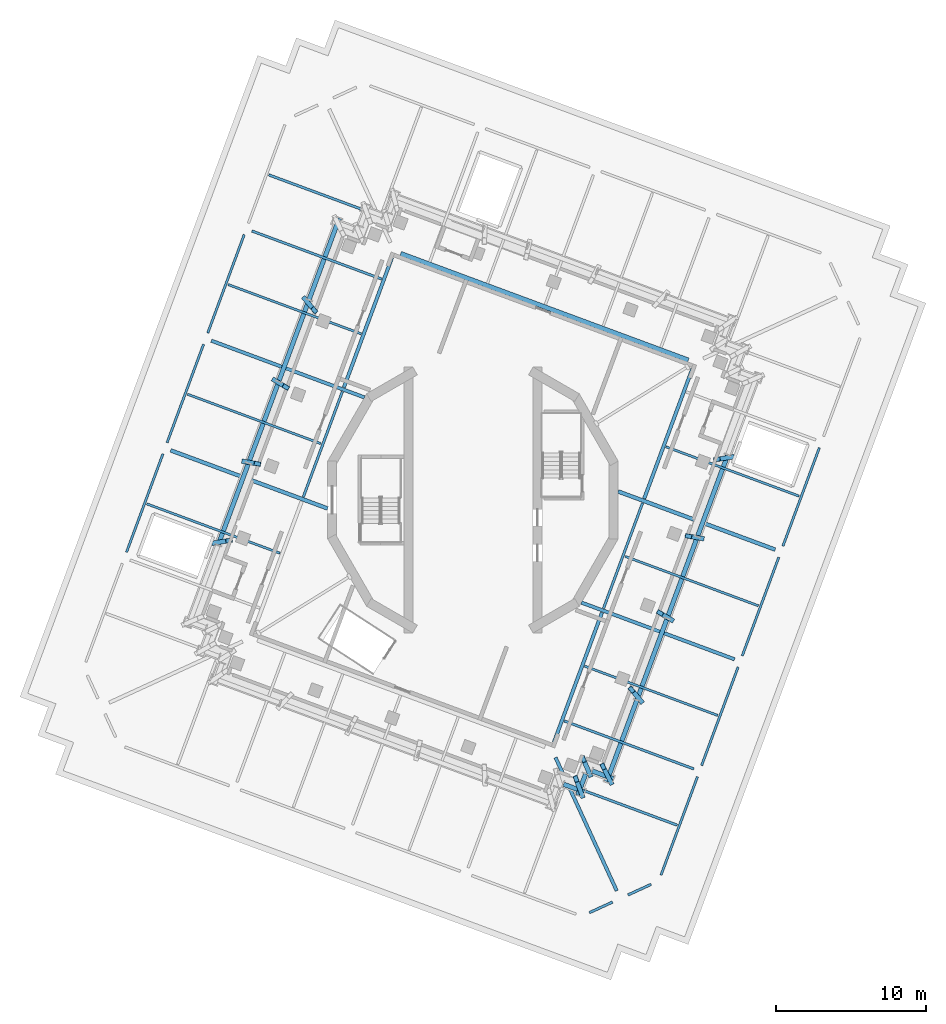
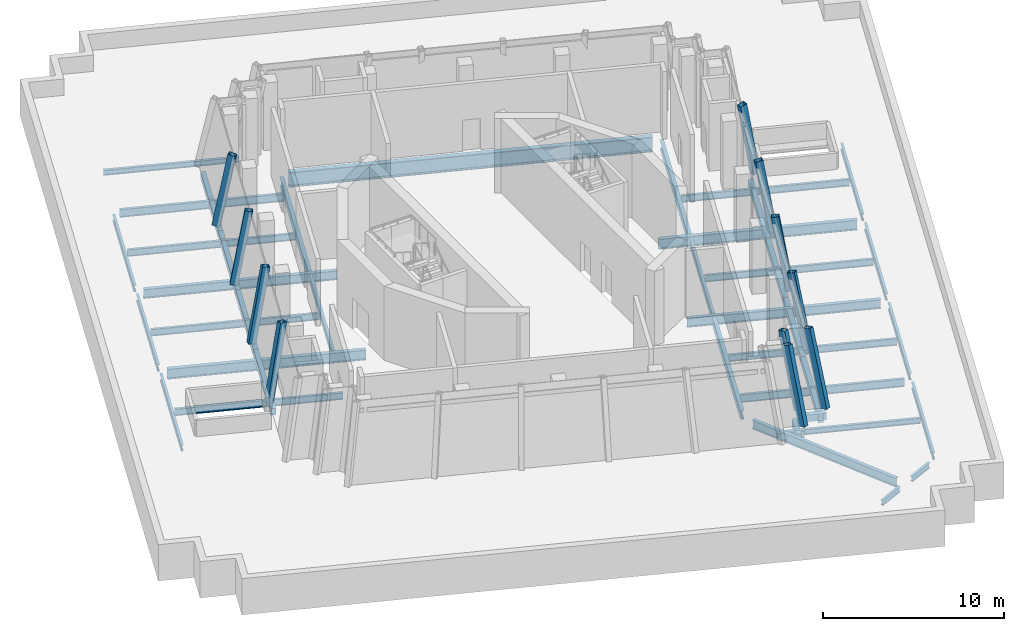
# One storey, part 2 of 12: 30 beams, 22 members, 13 elements without a shape of their own.
"""IFC4 building model written with IfcOpenShell, lengths in metres."""

import ifcopenshell
import ifcopenshell.guid

model = None  # the IFC model being written
_history = None  # IfcOwnerHistory: only IFC2X3 demands one
_inside = {}  # id of a spatial element -> (the spatial element, [elements in it])
_under = {}  # id of a project, library or spatial element -> (it, [spatial elements below it])
_declared = {}  # id of a project -> (the project, [libraries it declares])
_typed = {}  # id of a type object -> (the type object, [elements of that type])
_made_of = {}  # id of a material, layer set ... -> (it, [elements and type objects made of it])


def new_model(schema):
    """Start an empty IFC model of exactly this schema.

    Asked for "IFC4X3", IfcOpenShell would pick the latest addendum, in which some entities
    have other attributes; the version numbers below select the first issue.
    IFC2X3 requires an IfcOwnerHistory on every rooted entity: one is made here for all.
    """
    global model, _history
    if schema == "IFC4X3":
        model = ifcopenshell.file(schema_version=(4, 3, 0, 0))
    else:
        model = ifcopenshell.file(schema=schema)
    _inside.clear()
    _under.clear()
    _declared.clear()
    _typed.clear()
    _made_of.clear()
    _history = None
    if model.schema == "IFC2X3":
        org = make("IfcOrganization", Name="unknown")
        user = make(
            "IfcPersonAndOrganization",
            ThePerson=make("IfcPerson", FamilyName="unknown"),
            TheOrganization=org,
        )
        app = make(
            "IfcApplication",
            ApplicationDeveloper=org,
            Version="unknown",
            ApplicationFullName="unknown",
            ApplicationIdentifier="unknown",
        )
        _history = make(
            "IfcOwnerHistory",
            OwningUser=user,
            OwningApplication=app,
            ChangeAction="ADDED",
            CreationDate=0,
        )
    return model


def make(cls, **values):
    """One entity of the class cls with the attributes given. An attribute that is None is left unset."""
    return model.create_entity(
        cls, **{name: value for name, value in values.items() if value is not None}
    )


def rooted(cls, **values):
    """An entity with a GlobalId (a new one), such as an element, a storey or a relation."""
    return make(cls, GlobalId=ifcopenshell.guid.new(), OwnerHistory=_history, **values)


def si_unit(unit_type, name, prefix=None):
    """IfcSIUnit, for example si_unit("LENGTHUNIT", "METRE", prefix="MILLI")."""
    return make("IfcSIUnit", UnitType=unit_type, Prefix=prefix, Name=name)


def assignment(units):
    """IfcUnitAssignment: the units of a project."""
    return None if units is None else make("IfcUnitAssignment", Units=units)


def point(xyz):
    """IfcCartesianPoint."""
    return None if xyz is None else make("IfcCartesianPoint", Coordinates=xyz)


def direction(xyz):
    """IfcDirection."""
    return None if xyz is None else make("IfcDirection", DirectionRatios=xyz)


def frame(location, z_axis=None, x_axis=None):
    """IfcAxis2Placement3D, a coordinate frame: its origin and axes. An axis left out is left unset."""
    return make(
        "IfcAxis2Placement3D",
        Location=point(location),
        Axis=direction(z_axis),
        RefDirection=direction(x_axis),
    )


def frame_2d(location, x_axis=None):
    """IfcAxis2Placement2D, a coordinate frame in the plane: its origin and x axis."""
    return make(
        "IfcAxis2Placement2D", Location=point(location), RefDirection=direction(x_axis)
    )


def origin():
    """The frame at (0, 0, 0) with its axes left unset."""
    return frame((0.0, 0.0, 0.0))


def origin_2d():
    """The frame at (0, 0) in the plane with its x axis left unset."""
    return frame_2d((0.0, 0.0))


def place(relative_to, where):
    """IfcLocalPlacement: puts the frame where relative to a parent placement (None: the world)."""
    return make(
        "IfcLocalPlacement", PlacementRelTo=relative_to, RelativePlacement=where
    )


def context(
    kind, dimensions, precision=None, world=None, true_north=None, identifier=None
):
    """IfcGeometricRepresentationContext, for example the 3D "Model" context."""
    return make(
        "IfcGeometricRepresentationContext",
        ContextIdentifier=identifier,
        ContextType=kind,
        CoordinateSpaceDimension=dimensions,
        Precision=precision,
        WorldCoordinateSystem=world,
        TrueNorth=true_north,
    )


def subcontext(parent, identifier, kind, view, scale=None):
    """IfcGeometricRepresentationSubContext, for example "Body" below "Model"."""
    return make(
        "IfcGeometricRepresentationSubContext",
        ContextIdentifier=identifier,
        ContextType=kind,
        ParentContext=parent,
        TargetScale=scale,
        TargetView=view,
    )


def project(units=None, contexts=None):
    """IfcProject with its units and contexts."""
    return rooted(
        "IfcProject",
        Name="project",
        RepresentationContexts=contexts,
        UnitsInContext=assignment(units),
    )


def spatial(cls, under=None, at=None, **own):
    """A site, building, storey or space (cls), placed at a placement, below another one or the project."""
    s = rooted(cls, ObjectPlacement=at, **own)
    if under is not None:
        _under.setdefault(under.id(), (under, []))[1].append(s)
    return s


def profile(cls, at=None, kind="AREA", **sizes):
    """A parametric profile (cls). Its sizes go by their IFC names, for example OverallWidth=200.0."""
    return make(cls, ProfileType=kind, Position=at, **sizes)


def hollow_rectangle(**sizes):
    """IfcRectangleHollowProfileDef."""
    return profile("IfcRectangleHollowProfileDef", **sizes)


def i_section(**sizes):
    """IfcIShapeProfileDef."""
    return profile("IfcIShapeProfileDef", **sizes)


def extrude(swept, where, along, depth):
    """IfcExtrudedAreaSolid: the profile swept, set in the frame where, extruded along a direction by depth."""
    return make(
        "IfcExtrudedAreaSolid",
        SweptArea=swept,
        Position=where,
        ExtrudedDirection=direction(along),
        Depth=depth,
    )


def shape(context_of_items, identifier, shape_type, items):
    """IfcShapeRepresentation: the items that make up one representation, for example the "Body"."""
    return make(
        "IfcShapeRepresentation",
        ContextOfItems=context_of_items,
        RepresentationIdentifier=identifier,
        RepresentationType=shape_type,
        Items=items,
    )


def material(Name=None, Category=None):
    """IfcMaterial."""
    return make("IfcMaterial", Name=Name, Category=Category)


def material_profile(
    of_material, cross_section, Name=None, Category=None, Priority=None
):
    """IfcMaterialProfile: a cross section and its material."""
    return make(
        "IfcMaterialProfile",
        Name=Name,
        Material=of_material,
        Profile=cross_section,
        Priority=Priority,
        Category=Category,
    )


def profile_set(profiles, Name=None, composite=None):
    """IfcMaterialProfileSet."""
    return make(
        "IfcMaterialProfileSet",
        Name=Name,
        MaterialProfiles=profiles,
        CompositeProfile=composite,
    )


def made_of(thing, what):
    """Note that an element or type object is made of a material, layer set ...; save() writes the relation."""
    if what is not None:
        _made_of.setdefault(what.id(), (what, []))[1].append(thing)
    return thing


def type_object(cls, material=None, **own):
    """A type object (cls), such as IfcWallType, which elements share."""
    return made_of(rooted(cls, **own), material)


def element(
    cls,
    number,
    at=None,
    inside=None,
    cuts=None,
    type_object=None,
    material=None,
    context=None,
    identifier="Body",
    shape_type=None,
    held_by="IfcProductDefinitionShape",
    body=None,
    shapes=None,
    **own,
):
    """One element of the class cls, such as IfcWall. Its Tag is "e" and its number.

    at: its placement. inside: the storey or other place that contains it. cuts: it is an
    opening in that element (IfcRelVoidsElement). A single representation is given by context,
    identifier, shape_type and body (its items); several are given by shapes. held_by: the class
    of the entity that holds the representations. save() writes the other relations.
    """
    e = rooted(cls, Tag="e%d" % number, ObjectPlacement=at, **own)
    if body is not None:
        shapes = [shape(context, identifier, shape_type, body)]
    if shapes is not None:
        e.Representation = make(held_by, Representations=shapes)
    if inside is not None:
        _inside.setdefault(inside.id(), (inside, []))[1].append(e)
    if cuts is not None:
        rooted(
            "IfcRelVoidsElement", RelatingBuildingElement=cuts, RelatedOpeningElement=e
        )
    if type_object is not None:
        _typed.setdefault(type_object.id(), (type_object, []))[1].append(e)
    return made_of(e, material)


def aggregate(whole, parts):
    """IfcRelAggregates: a whole, such as a stair, and the parts it consists of."""
    return rooted("IfcRelAggregates", RelatingObject=whole, RelatedObjects=parts)


def save(model, path):
    """Write the relations noted so far, then the file.

    IfcRelAggregates (storeys below a building ...), IfcRelContainedInSpatialStructure (elements
    in a storey), IfcRelDefinesByType, IfcRelAssociatesMaterial and IfcRelDeclares: one each for
    every whole, place, type object, material and project.
    """
    for whole, parts in _under.values():
        aggregate(whole, parts)
    for where, things in _inside.values():
        rooted(
            "IfcRelContainedInSpatialStructure",
            RelatedElements=things,
            RelatingStructure=where,
        )
    for kind, things in _typed.values():
        rooted("IfcRelDefinesByType", RelatedObjects=things, RelatingType=kind)
    for what, things in _made_of.values():
        rooted("IfcRelAssociatesMaterial", RelatedObjects=things, RelatingMaterial=what)
    for by, libraries in _declared.values():
        rooted("IfcRelDeclares", RelatingContext=by, RelatedDefinitions=libraries)
    model.write(path)


model = new_model("IFC4")

# Units and contexts
model_context = context("Model", 3, precision=1e-05, world=origin(), true_north=direction((0.0, 1.0)))
body_context = subcontext(model_context, "Body", "Model", "MODEL_VIEW")
ifc_project = project(units=[si_unit("LENGTHUNIT", "METRE"), si_unit("AREAUNIT", "SQUARE_METRE"), si_unit("VOLUMEUNIT", "CUBIC_METRE"), si_unit("PLANEANGLEUNIT", "RADIAN"), si_unit("MASSUNIT", "GRAM", prefix="KILO")], contexts=[model_context])

# Site, building, storey
site_placement = place(None, origin())
site = spatial("IfcSite", under=ifc_project, at=site_placement, CompositionType="ELEMENT")
building_placement = place(site_placement, origin())
building = spatial("IfcBuilding", under=site, at=building_placement, Name="Cantera Rosa Tower", CompositionType="ELEMENT")
storey_placement = place(building_placement, frame((0.0, 0.0, 345.699951171875)))
storey = spatial("IfcBuildingStorey", under=building, at=storey_placement, Name="L78", CompositionType="ELEMENT", Elevation=345.699951171875)

# Curtain wall, member
ifc_material_1 = material(Name="Aluminium frame with clear glass", Category="aluminium")
curtain_wall_type = type_object("IfcCurtainWallType", Name="CW4 CROWN GLAZING", PredefinedType="NOTDEFINED", material=ifc_material_1)
curtain_wall_1_placement = place(storey_placement, origin())
curtain_wall_1 = element("IfcCurtainWall", 1, at=curtain_wall_1_placement, inside=storey, type_object=curtain_wall_type, Name="CW4 L78-11", PredefinedType="NOTDEFINED")
ifc_material_2 = material(Name="Steel S355J2 (EN 10025-2)", Category="steel")
ifc_material_profile_1 = material_profile(ifc_material_2, hollow_rectangle(XDim=0.300048828125, YDim=0.449951171875, WallThickness=0.01611328125, at=origin_2d()), Name="CROWN FRAME MULLION RHS 300x450x16")
ifc_profile_set_1 = profile_set([ifc_material_profile_1], Name="Steel S355J2 (EN 10025-2)")
member_type_1 = type_object("IfcMemberType", Name="CROWN FRAME MULLION RHS 300x450x16", PredefinedType="MULLION", material=ifc_profile_set_1)
member_1_placement = place(storey_placement, frame((-11.154541015625, 13.34326171875, 0.0), z_axis=(0.118528648195, -0.141754504764, 0.98278004657), x_axis=(0.767155870735, 0.641460731454, 0.0)))
member_1 = element("IfcMember", 2, at=member_1_placement, type_object=member_type_1, Name="CROWN FRAME rib L78-11", PredefinedType="MULLION", context=body_context, shape_type="SweptSolid", body=[
    extrude(hollow_rectangle(XDim=0.300048828125, YDim=0.449951171875, WallThickness=0.01611328125, at=origin_2d()), origin(), (0.0, 0.0, 1.0), 5.087646484375),
])

curtain_wall_2_placement = place(storey_placement, origin())
curtain_wall_2 = element("IfcCurtainWall", 3, at=curtain_wall_2_placement, inside=storey, type_object=curtain_wall_type, Name="CW4 L78-12", PredefinedType="NOTDEFINED")
member_2_placement = place(storey_placement, frame((-13.155029296875, 7.94482421875, 0.0), z_axis=(0.140265416916, -0.084727633364, 0.986482053036), x_axis=(0.517043858329, 0.855958905886, 0.0)))
member_2 = element("IfcMember", 4, at=member_2_placement, type_object=member_type_1, Name="CROWN FRAME rib L78-12", PredefinedType="MULLION", context=body_context, shape_type="SweptSolid", body=[
    extrude(hollow_rectangle(XDim=0.300048828125, YDim=0.449951171875, WallThickness=0.01611328125, at=origin_2d()), origin(), (0.0, 0.0, 1.0), 5.068603515625),
])

curtain_wall_3_placement = place(storey_placement, origin())
curtain_wall_3 = element("IfcCurtainWall", 5, at=curtain_wall_3_placement, inside=storey, type_object=curtain_wall_type, Name="CW4 L78-13", PredefinedType="NOTDEFINED")
member_3_placement = place(storey_placement, frame((-15.155517578125, 2.54638671875, 0.0), z_axis=(0.161603815989, -0.027166781585, 0.986481714294), x_axis=(0.16578112972, 0.986162571298, 0.0)))
member_3 = element("IfcMember", 6, at=member_3_placement, type_object=member_type_1, Name="CROWN FRAME rib L78-13", PredefinedType="MULLION", context=body_context, shape_type="SweptSolid", body=[
    extrude(hollow_rectangle(XDim=0.300048828125, YDim=0.449951171875, WallThickness=0.01611328125, at=origin_2d()), origin(), (0.0, 0.0, 1.0), 5.068603515625),
])

curtain_wall_4_placement = place(storey_placement, origin())
curtain_wall_4 = element("IfcCurtainWall", 7, at=curtain_wall_4_placement, inside=storey, type_object=curtain_wall_type, Name="CW4 L78-14", PredefinedType="NOTDEFINED")
member_4_placement = place(storey_placement, frame((-17.156005859375, -2.85205078125, 0.0), z_axis=(0.182256641938, 0.030280131928, 0.982784630568), x_axis=(-0.163893533146, 0.986478033102, 0.0)))
member_4 = element("IfcMember", 8, at=member_4_placement, type_object=member_type_1, Name="CROWN FRAME rib L78-14", PredefinedType="MULLION", context=body_context, shape_type="SweptSolid", body=[
    extrude(hollow_rectangle(XDim=0.300048828125, YDim=0.449951171875, WallThickness=0.01611328125, at=origin_2d()), origin(), (0.0, 0.0, 1.0), 5.087646484375),
])
aggregate(curtain_wall_4, [member_4])

curtain_wall_5_placement = place(storey_placement, origin())
curtain_wall_5 = element("IfcCurtainWall", 9, at=curtain_wall_5_placement, inside=storey, type_object=curtain_wall_type, Name="CW4 L78-26", PredefinedType="NOTDEFINED")
member_5_placement = place(storey_placement, frame((7.251953125, -19.615234375, 0.0), z_axis=(-0.076487353501, 0.206839711243, 0.975380448137), x_axis=(-0.937925785431, -0.346836014599, 0.0)))
member_5 = element("IfcMember", 10, at=member_5_placement, type_object=member_type_1, Name="CROWN FRAME rib L78-26", PredefinedType="MULLION", context=body_context, shape_type="SweptSolid", body=[
    extrude(hollow_rectangle(XDim=0.300048828125, YDim=0.449951171875, WallThickness=0.01611328125, at=origin_2d()), origin(), (0.0, 0.0, 1.0), 5.126220703125),
])

curtain_wall_6_placement = place(storey_placement, origin())
curtain_wall_6 = element("IfcCurtainWall", 11, at=curtain_wall_6_placement, inside=storey, type_object=curtain_wall_type, Name="CW4 L78-27", PredefinedType="NOTDEFINED")
member_6_placement = place(storey_placement, frame((7.766357421875, -18.2275390625, 0.0), z_axis=(-0.082121235001, 0.192698432827, 0.977815635357), x_axis=(-0.919944828151, -0.392047845496, 0.0)))
member_6 = element("IfcMember", 12, at=member_6_placement, type_object=member_type_1, Name="CROWN FRAME rib L78-27", PredefinedType="MULLION", context=body_context, shape_type="SweptSolid", body=[
    extrude(hollow_rectangle(XDim=0.300048828125, YDim=0.449951171875, WallThickness=0.01611328125, at=origin_2d()), origin(), (0.0, 0.0, 1.0), 5.113525390625),
])

curtain_wall_7_placement = place(storey_placement, origin())
curtain_wall_7 = element("IfcCurtainWall", 13, at=curtain_wall_7_placement, inside=storey, type_object=curtain_wall_type, Name="CW4 L78-28", PredefinedType="NOTDEFINED")
member_7_placement = place(storey_placement, frame((9.154052734375, -18.74169921875, 0.0), z_axis=(-0.096550815783, 0.197626706801, 0.97551095572), x_axis=(-0.898503957326, -0.438965418535, 0.0)))
member_7 = element("IfcMember", 14, at=member_7_placement, type_object=member_type_1, Name="CROWN FRAME rib L78-28", PredefinedType="MULLION", context=body_context, shape_type="SweptSolid", body=[
    extrude(hollow_rectangle(XDim=0.300048828125, YDim=0.449951171875, WallThickness=0.01611328125, at=origin_2d()), origin(), (0.0, 0.0, 1.0), 5.12548828125),
])

curtain_wall_8_placement = place(storey_placement, origin())
curtain_wall_8 = element("IfcCurtainWall", 15, at=curtain_wall_8_placement, inside=storey, type_object=curtain_wall_type, Name="CW4 L78-29", PredefinedType="NOTDEFINED")
member_8_placement = place(storey_placement, frame((11.154541015625, -13.34326171875, 0.0), z_axis=(-0.118528648195, 0.141754504764, 0.98278004657), x_axis=(-0.767155870735, -0.641460731454, 0.0)))
member_8 = element("IfcMember", 16, at=member_8_placement, type_object=member_type_1, Name="CROWN FRAME rib L78-29", PredefinedType="MULLION", context=body_context, shape_type="SweptSolid", body=[
    extrude(hollow_rectangle(XDim=0.300048828125, YDim=0.449951171875, WallThickness=0.01611328125, at=origin_2d()), origin(), (0.0, 0.0, 1.0), 5.087646484375),
])

curtain_wall_9_placement = place(storey_placement, origin())
curtain_wall_9 = element("IfcCurtainWall", 17, at=curtain_wall_9_placement, inside=storey, type_object=curtain_wall_type, Name="CW4 L78-30", PredefinedType="NOTDEFINED")
member_9_placement = place(storey_placement, frame((13.155029296875, -7.94482421875, 0.0), z_axis=(-0.140265416916, 0.084727633364, 0.986482053036), x_axis=(-0.517043858329, -0.855958905886, 0.0)))
member_9 = element("IfcMember", 18, at=member_9_placement, type_object=member_type_1, Name="CROWN FRAME rib L78-30", PredefinedType="MULLION", context=body_context, shape_type="SweptSolid", body=[
    extrude(hollow_rectangle(XDim=0.300048828125, YDim=0.449951171875, WallThickness=0.01611328125, at=origin_2d()), origin(), (0.0, 0.0, 1.0), 5.068603515625),
])

curtain_wall_10_placement = place(storey_placement, origin())
curtain_wall_10 = element("IfcCurtainWall", 19, at=curtain_wall_10_placement, inside=storey, type_object=curtain_wall_type, Name="CW4 L78-31", PredefinedType="NOTDEFINED")
member_10_placement = place(storey_placement, frame((15.155517578125, -2.54638671875, 0.0), z_axis=(-0.161603815989, 0.027166781585, 0.986481714294), x_axis=(-0.16578112972, -0.986162571298, 0.0)))
member_10 = element("IfcMember", 20, at=member_10_placement, type_object=member_type_1, Name="CROWN FRAME rib L78-31", PredefinedType="MULLION", context=body_context, shape_type="SweptSolid", body=[
    extrude(hollow_rectangle(XDim=0.300048828125, YDim=0.449951171875, WallThickness=0.01611328125, at=origin_2d()), origin(), (0.0, 0.0, 1.0), 5.068603515625),
])

curtain_wall_11_placement = place(storey_placement, origin())
curtain_wall_11 = element("IfcCurtainWall", 21, at=curtain_wall_11_placement, inside=storey, type_object=curtain_wall_type, Name="CW4 L78-32", PredefinedType="NOTDEFINED")
member_11_placement = place(storey_placement, frame((17.156005859375, 2.85205078125, 0.0), z_axis=(-0.182256641938, -0.030280131928, 0.982784630568), x_axis=(0.163893533146, -0.986478033102, 0.0)))
member_11 = element("IfcMember", 22, at=member_11_placement, type_object=member_type_1, Name="CROWN FRAME rib L78-32", PredefinedType="MULLION", context=body_context, shape_type="SweptSolid", body=[
    extrude(hollow_rectangle(XDim=0.300048828125, YDim=0.449951171875, WallThickness=0.01611328125, at=origin_2d()), origin(), (0.0, 0.0, 1.0), 5.087646484375),
])
aggregate(curtain_wall_11, [member_11])

curtain_wall_12_placement = place(storey_placement, origin())
curtain_wall_12 = element("IfcCurtainWall", 23, at=curtain_wall_12_placement, inside=storey, type_object=curtain_wall_type, Name="CW4 L78-10", PredefinedType="NOTDEFINED")
ifc_material_3 = material(Name="Steel S355J2 (EN 10025-2)", Category="steel")
ifc_material_profile_2 = material_profile(ifc_material_3, hollow_rectangle(XDim=0.300048828125, YDim=0.449951171875, WallThickness=0.01611328125, at=origin_2d()), Name="CROWN FRAME PURLIN RHS 300x450x16")
ifc_profile_set_2 = profile_set([ifc_material_profile_2], Name="Steel S355J2 (EN 10025-2)")
member_type_2 = type_object("IfcMemberType", Name="CROWN FRAME PURLIN RHS 300x450x16", PredefinedType="PURLIN", material=ifc_profile_set_2)
member_12_placement = place(storey_placement, frame((-8.891357421875, 18.7470703125, -0.675048828125), z_axis=(-0.347483101346, -0.937686245116, 0.0), x_axis=(0.937686245116, -0.347483101346, 0.0)))
member_12 = element("IfcMember", 24, at=member_12_placement, type_object=member_type_2, Name="CROWN FRAME purlin L78-10", PredefinedType="PURLIN", context=body_context, shape_type="SweptSolid", body=[
    extrude(hollow_rectangle(XDim=0.300048828125, YDim=0.449951171875, WallThickness=0.01611328125, at=origin_2d()), origin(), (0.0, 0.0, 1.0), 5.795654296875),
])
aggregate(curtain_wall_12, [member_12])

# Member
member_13_placement = place(storey_placement, frame((-10.9052734375, 13.3125, -0.675048828125), z_axis=(-0.347483101346, -0.937686245116, 0.0), x_axis=(0.937686245116, -0.347483101346, 0.0)))
member_13 = element("IfcMember", 25, at=member_13_placement, type_object=member_type_2, Name="CROWN FRAME purlin L78-11", PredefinedType="PURLIN", context=body_context, shape_type="SweptSolid", body=[
    extrude(hollow_rectangle(XDim=0.300048828125, YDim=0.449951171875, WallThickness=0.01611328125, at=origin_2d()), origin(), (0.0, 0.0, 1.0), 5.795654296875),
])

aggregate(curtain_wall_1, [member_1, member_13])

member_14_placement = place(storey_placement, frame((-12.919189453125, 7.8779296875, -0.675048828125), z_axis=(-0.347483101346, -0.937686245116, 0.0), x_axis=(0.937686245116, -0.347483101346, 0.0)))
member_14 = element("IfcMember", 26, at=member_14_placement, type_object=member_type_2, Name="CROWN FRAME purlin L78-12", PredefinedType="PURLIN", context=body_context, shape_type="SweptSolid", body=[
    extrude(hollow_rectangle(XDim=0.300048828125, YDim=0.449951171875, WallThickness=0.01611328125, at=origin_2d()), origin(), (0.0, 0.0, 1.0), 5.795654296875),
])

aggregate(curtain_wall_2, [member_2, member_14])

member_15_placement = place(storey_placement, frame((-14.93310546875, 2.443359375, -0.675048828125), z_axis=(-0.347483101346, -0.937686245116, 0.0), x_axis=(0.937686245116, -0.347483101346, 0.0)))
member_15 = element("IfcMember", 27, at=member_15_placement, type_object=member_type_2, Name="CROWN FRAME purlin L78-13", PredefinedType="PURLIN", context=body_context, shape_type="SweptSolid", body=[
    extrude(hollow_rectangle(XDim=0.300048828125, YDim=0.449951171875, WallThickness=0.01611328125, at=origin_2d()), origin(), (0.0, 0.0, 1.0), 5.795654296875),
])

aggregate(curtain_wall_3, [member_3, member_15])

# Curtain wall, member
curtain_wall_13_placement = place(storey_placement, origin())
curtain_wall_13 = element("IfcCurtainWall", 28, at=curtain_wall_13_placement, inside=storey, type_object=curtain_wall_type, Name="CW4 L78-25", PredefinedType="NOTDEFINED")
member_16_placement = place(storey_placement, frame((6.023193359375, -18.904541015625, -0.675048828125), z_axis=(0.937655822208, -0.347565186806, 0.0), x_axis=(0.347565186806, 0.937655822208, 0.0)))
member_16 = element("IfcMember", 29, at=member_16_placement, type_object=member_type_2, Name="CROWN FRAME purlin L78-25", PredefinedType="PURLIN", context=body_context, shape_type="SweptSolid", body=[
    extrude(hollow_rectangle(XDim=0.300048828125, YDim=0.449951171875, WallThickness=0.01611328125, at=origin_2d()), origin(), (0.0, 0.0, 1.0), 1.48974609375),
])
aggregate(curtain_wall_13, [member_16])

# Member
member_17_placement = place(storey_placement, frame((6.976318359375, -19.627197265625, -0.675048828125), z_axis=(0.347367721038, 0.937728994103, 0.0), x_axis=(-0.937728994103, 0.347367721038, 0.0)))
member_17 = element("IfcMember", 30, at=member_17_placement, type_object=member_type_2, Name="CROWN FRAME purlin L78-26", PredefinedType="PURLIN", context=body_context, shape_type="SweptSolid", body=[
    extrude(hollow_rectangle(XDim=0.300048828125, YDim=0.449951171875, WallThickness=0.01611328125, at=origin_2d()), origin(), (0.0, 0.0, 1.0), 1.489990234375),
])

aggregate(curtain_wall_5, [member_5, member_17])

member_18_placement = place(storey_placement, frame((7.9384765625, -18.025634765625, -0.675048828125), z_axis=(0.937728994103, -0.347367721038, 0.0), x_axis=(0.347367721038, 0.937728994103, 0.0)))
member_18 = element("IfcMember", 31, at=member_18_placement, type_object=member_type_2, Name="CROWN FRAME purlin L78-27", PredefinedType="PURLIN", context=body_context, shape_type="SweptSolid", body=[
    extrude(hollow_rectangle(XDim=0.300048828125, YDim=0.449951171875, WallThickness=0.01611328125, at=origin_2d()), origin(), (0.0, 0.0, 1.0), 1.489990234375),
])

aggregate(curtain_wall_6, [member_6, member_18])

member_19_placement = place(storey_placement, frame((8.891357421875, -18.7470703125, -0.675048828125), z_axis=(0.347483101346, 0.937686245116, 0.0), x_axis=(-0.937686245116, 0.347483101346, 0.0)))
member_19 = element("IfcMember", 32, at=member_19_placement, type_object=member_type_2, Name="CROWN FRAME purlin L78-28", PredefinedType="PURLIN", context=body_context, shape_type="SweptSolid", body=[
    extrude(hollow_rectangle(XDim=0.300048828125, YDim=0.449951171875, WallThickness=0.01611328125, at=origin_2d()), origin(), (0.0, 0.0, 1.0), 5.795654296875),
])

aggregate(curtain_wall_7, [member_7, member_19])

member_20_placement = place(storey_placement, frame((10.9052734375, -13.3125, -0.675048828125), z_axis=(0.347483101346, 0.937686245116, 0.0), x_axis=(-0.937686245116, 0.347483101346, 0.0)))
member_20 = element("IfcMember", 33, at=member_20_placement, type_object=member_type_2, Name="CROWN FRAME purlin L78-29", PredefinedType="PURLIN", context=body_context, shape_type="SweptSolid", body=[
    extrude(hollow_rectangle(XDim=0.300048828125, YDim=0.449951171875, WallThickness=0.01611328125, at=origin_2d()), origin(), (0.0, 0.0, 1.0), 5.795654296875),
])

aggregate(curtain_wall_8, [member_8, member_20])

member_21_placement = place(storey_placement, frame((12.919189453125, -7.8779296875, -0.675048828125), z_axis=(0.347483101346, 0.937686245116, 0.0), x_axis=(-0.937686245116, 0.347483101346, 0.0)))
member_21 = element("IfcMember", 34, at=member_21_placement, type_object=member_type_2, Name="CROWN FRAME purlin L78-30", PredefinedType="PURLIN", context=body_context, shape_type="SweptSolid", body=[
    extrude(hollow_rectangle(XDim=0.300048828125, YDim=0.449951171875, WallThickness=0.01611328125, at=origin_2d()), origin(), (0.0, 0.0, 1.0), 5.795654296875),
])

aggregate(curtain_wall_9, [member_9, member_21])

member_22_placement = place(storey_placement, frame((14.93310546875, -2.443359375, -0.675048828125), z_axis=(0.347483101346, 0.937686245116, 0.0), x_axis=(-0.937686245116, 0.347483101346, 0.0)))
member_22 = element("IfcMember", 35, at=member_22_placement, type_object=member_type_2, Name="CROWN FRAME purlin L78-31", PredefinedType="PURLIN", context=body_context, shape_type="SweptSolid", body=[
    extrude(hollow_rectangle(XDim=0.300048828125, YDim=0.449951171875, WallThickness=0.01611328125, at=origin_2d()), origin(), (0.0, 0.0, 1.0), 5.795654296875),
])

aggregate(curtain_wall_10, [member_10, member_22])

# Beams
ifc_material_4 = material(Name="Steel ASTM A992 (Fy 345 MPa)", Category="steel")
ifc_material_profile_3 = material_profile(ifc_material_4, i_section(OverallWidth=0.302001953125, OverallDepth=1.010009765625, WebThickness=0.02099609375, FlangeThickness=0.0400390625, FilletRadius=0.030029296875, at=origin_2d()), Name="W1000X350")
ifc_profile_set_3 = profile_set([ifc_material_profile_3], Name="Steel ASTM A992 (Fy 345 MPa)")
beam_type_1 = type_object("IfcBeamType", Name="STEEL BEAM W1000X350", PredefinedType="BEAM", material=ifc_profile_set_3)
beam_1_placement = place(storey_placement, frame((14.324951171875, 9.302001953125, -0.954833984375), z_axis=(-0.937687392162, 0.347480006017, 0.0), x_axis=(-0.347480006017, -0.937687392162, 0.0)))
element("IfcBeam", 36, at=beam_1_placement, inside=storey, type_object=beam_type_1, Name="RB-Z6-07 L78", PredefinedType="BEAM", context=body_context, shape_type="SweptSolid", body=[
    extrude(i_section(OverallWidth=0.302001953125, OverallDepth=1.010009765625, WebThickness=0.02099609375, FlangeThickness=0.0400390625, FilletRadius=0.030029296875, at=origin_2d()), origin(), (0.0, 0.0, 1.0), 20.400146484375),
])
ifc_material_5 = material(Name="Steel ASTM A992 (Fy 345 MPa)", Category="steel")
ifc_material_profile_4 = material_profile(ifc_material_5, i_section(OverallWidth=0.166015625, OverallDepth=0.528076171875, WebThickness=0.009765625, FlangeThickness=0.013671875, FilletRadius=0.0126953125, at=origin_2d()), Name="W530X74")
ifc_profile_set_4 = profile_set([ifc_material_profile_4], Name="Steel ASTM A992 (Fy 345 MPa)")
beam_type_2 = type_object("IfcBeamType", Name="STEEL BEAM W530X74", PredefinedType="BEAM", material=ifc_profile_set_4)
for number, where, z_axis, x_axis, name in (
    (37, (-14.69873046875, 17.892333984375, -0.7138671875), (0.937688566, -0.347476838353, 0.0), (0.347476838353, 0.937688566, 0.0), "G-Z6-04 L78"),
    (38, (14.69873046875, -17.892333984375, -0.7138671875), (-0.937688566, 0.347476838353, 0.0), (-0.347476838353, -0.937688566, 0.0), "G-Z6-08 L78"),
):
    element("IfcBeam", number, at=place(storey_placement, frame(where, z_axis=z_axis, x_axis=x_axis)), inside=storey, type_object=beam_type_2, Name=name, PredefinedType="BEAM", context=body_context, shape_type="SweptSolid", body=[
        extrude(i_section(OverallWidth=0.166015625, OverallDepth=0.528076171875, WebThickness=0.009765625, FlangeThickness=0.013671875, FilletRadius=0.0126953125, at=origin_2d()), origin(), (0.0, 0.0, 1.0), 9.199951171875),
    ])
for number, where, z_axis, x_axis, name in (
    (39, (-11.285888671875, 0.19384765625, -0.7138671875), (0.347486566882, 0.937684960867, 0.0), (-0.937684960867, 0.347486566882, 0.0), "RB-Z6-02 L78"),
    (40, (8.686767578125, -7.20751953125, -0.7138671875), (0.347486566882, 0.937684960867, 0.0), (-0.937684960867, 0.347486566882, 0.0), "RB-Z6-05 L78"),
):
    element("IfcBeam", number, at=place(storey_placement, frame(where, z_axis=z_axis, x_axis=x_axis)), inside=storey, type_object=beam_type_2, Name=name, PredefinedType="BEAM", context=body_context, shape_type="SweptSolid", body=[
        extrude(i_section(OverallWidth=0.166015625, OverallDepth=0.528076171875, WebThickness=0.009765625, FlangeThickness=0.013671875, FilletRadius=0.0126953125, at=origin_2d()), origin(), (0.0, 0.0, 1.0), 7.479736328125),
    ])
ifc_material_6 = material(Name="Steel ASTM A992 (Fy 345 MPa)", Category="steel")
ifc_material_profile_5 = material_profile(ifc_material_6, i_section(OverallWidth=0.22802734375, OverallDepth=0.60205078125, WebThickness=0.010498046875, FlangeThickness=0.014892578125, FilletRadius=0.0126953125, at=origin_2d()), Name="W610X101")
ifc_profile_set_5 = profile_set([ifc_material_profile_5], Name="Steel ASTM A992 (Fy 345 MPa)")
beam_type_3 = type_object("IfcBeamType", Name="STEEL BEAM W610X101", PredefinedType="BEAM", material=ifc_profile_set_5)
beam_2_placement = place(storey_placement, frame((9.56396484375, -25.992919921875, -0.7509765625), z_axis=(-0.417345508131, 0.908747889595, 0.0), x_axis=(-0.908747889595, -0.417345508131, 0.0)))
element("IfcBeam", 41, at=beam_2_placement, inside=storey, type_object=beam_type_3, Name="CB-Z6-03 L78", PredefinedType="BEAM", context=body_context, shape_type="SweptSolid", body=[
    extrude(i_section(OverallWidth=0.22802734375, OverallDepth=0.60205078125, WebThickness=0.010498046875, FlangeThickness=0.014892578125, FilletRadius=0.0126953125, at=origin_2d()), origin(), (0.0, 0.0, 1.0), 9.758056640625),
])
for number, where, z_axis, x_axis, name in (
    (42, (-8.58251953125, 7.489013671875, -0.7509765625), (0.347474937304, 0.937689270465, 0.0), (-0.937689270465, 0.347474937304, 0.0), "RB-Z6-03 L78"),
    (43, (5.38232421875, -16.125, -0.7509765625), (0.347474937304, 0.937689270465, 0.0), (-0.937689270465, 0.347474937304, 0.0), "RB-Z6-04 L78"),
    (44, (11.39013671875, 0.087646484375, -0.7509765625), (0.347498244979, 0.937680633125, 0.0), (-0.937680633125, 0.347498244979, 0.0), "RB-Z6-06 L78"),
):
    element("IfcBeam", number, at=place(storey_placement, frame(where, z_axis=z_axis, x_axis=x_axis)), inside=storey, type_object=beam_type_3, Name=name, PredefinedType="BEAM", context=body_context, shape_type="SweptSolid", body=[
        extrude(i_section(OverallWidth=0.22802734375, OverallDepth=0.60205078125, WebThickness=0.010498046875, FlangeThickness=0.014892578125, FilletRadius=0.0126953125, at=origin_2d()), origin(), (0.0, 0.0, 1.0), 9.2099609375),
    ])
ifc_material_7 = material(Name="Steel ASTM A992 (Fy 345 MPa)", Category="steel")
ifc_material_profile_6 = material_profile(ifc_material_7, i_section(OverallWidth=0.22900390625, OverallDepth=0.612060546875, WebThickness=0.011962890625, FlangeThickness=0.01953125, FilletRadius=0.0126953125, at=origin_2d()), Name="W610X125")
ifc_profile_set_6 = profile_set([ifc_material_profile_6], Name="Steel ASTM A992 (Fy 345 MPa)")
beam_type_4 = type_object("IfcBeamType", Name="STEEL BEAM W610X125", PredefinedType="BEAM", material=ifc_profile_set_6)
for number, where, z_axis, x_axis, name in (
    (45, (-17.402099609375, 10.59716796875, -0.755859375), (0.937686127687, -0.347483418229, 0.0), (0.347483418229, 0.937686127687, 0.0), "G-Z6-05 L78"),
    (46, (17.402099609375, -10.59716796875, -0.755859375), (-0.937686127687, 0.347483418229, 0.0), (-0.347483418229, -0.937686127687, 0.0), "G-Z6-09 L78"),
):
    element("IfcBeam", number, at=place(storey_placement, frame(where, z_axis=z_axis, x_axis=x_axis)), inside=storey, type_object=beam_type_4, Name=name, PredefinedType="BEAM", context=body_context, shape_type="SweptSolid", body=[
        extrude(i_section(OverallWidth=0.22900390625, OverallDepth=0.612060546875, WebThickness=0.011962890625, FlangeThickness=0.01953125, FilletRadius=0.0126953125, at=origin_2d()), origin(), (0.0, 0.0, 1.0), 10.8642578125),
    ])
ifc_material_8 = material(Name="Steel ASTM A992 (Fy 345 MPa)", Category="steel")
ifc_material_profile_7 = material_profile(ifc_material_8, i_section(OverallWidth=0.25390625, OverallDepth=0.677978515625, WebThickness=0.01171875, FlangeThickness=0.016357421875, FilletRadius=0.01513671875, at=origin_2d()), Name="W690X125")
ifc_profile_set_7 = profile_set([ifc_material_profile_7], Name="Steel ASTM A992 (Fy 345 MPa)")
beam_type_5 = type_object("IfcBeamType", Name="STEEL BEAM W690X125", PredefinedType="BEAM", material=ifc_profile_set_7)
for number, where, z_axis, x_axis, name in (
    (47, (-20.10546875, 3.302001953125, -0.7890625), (0.937687416585, -0.347479940109, 0.0), (0.347479940109, 0.937687416585, 0.0), "G-Z6-06 L78"),
    (48, (20.10546875, -3.302001953125, -0.7890625), (-0.937687416585, 0.347479940109, 0.0), (-0.347479940109, -0.937687416585, 0.0), "G-Z6-10 L78"),
):
    element("IfcBeam", number, at=place(storey_placement, frame(where, z_axis=z_axis, x_axis=x_axis)), inside=storey, type_object=beam_type_5, Name=name, PredefinedType="BEAM", context=body_context, shape_type="SweptSolid", body=[
        extrude(i_section(OverallWidth=0.25390625, OverallDepth=0.677978515625, WebThickness=0.01171875, FlangeThickness=0.016357421875, FilletRadius=0.01513671875, at=origin_2d()), origin(), (0.0, 0.0, 1.0), 11.140380859375),
    ])
ifc_material_9 = material(Name="Steel ASTM A992 (Fy 345 MPa)", Category="steel")
ifc_material_profile_8 = material_profile(ifc_material_9, i_section(OverallWidth=0.1708984375, OverallDepth=0.35595703125, WebThickness=0.00732421875, FlangeThickness=0.01171875, FilletRadius=0.010009765625, at=origin_2d()), Name="W360X51")
ifc_profile_set_8 = profile_set([ifc_material_profile_8], Name="Steel ASTM A992 (Fy 345 MPa)")
beam_type_6 = type_object("IfcBeamType", Name="STEEL JOIST W360X51", PredefinedType="JOIST", material=ifc_profile_set_8)
for number, where, z_axis, x_axis, name in (
    (49, (-13.581298828125, 21.626953125, -0.6279296875), (0.93768239316, -0.347493495705, 0.0), (0.347493495705, 0.93768239316, 0.0), "B-Z6-05 L78"),
    (50, (13.581298828125, -21.626953125, -0.6279296875), (-0.93768239316, 0.347493495705, 0.0), (-0.347493495705, -0.93768239316, 0.0), "B-Z6-10 L78"),
):
    element("IfcBeam", number, at=place(storey_placement, frame(where, z_axis=z_axis, x_axis=x_axis)), inside=storey, type_object=beam_type_6, Name=name, PredefinedType="JOIST", context=body_context, shape_type="SweptSolid", body=[
        extrude(i_section(OverallWidth=0.1708984375, OverallDepth=0.35595703125, WebThickness=0.00732421875, FlangeThickness=0.01171875, FilletRadius=0.010009765625, at=origin_2d()), origin(), (0.0, 0.0, 1.0), 7.58984375),
    ])
ifc_material_10 = material(Name="Steel ASTM A992 (Fy 345 MPa)", Category="steel")
ifc_material_profile_9 = material_profile(ifc_material_10, i_section(OverallWidth=0.154052734375, OverallDepth=0.4599609375, WebThickness=0.009033203125, FlangeThickness=0.015380859375, FilletRadius=0.01025390625, at=origin_2d()), Name="W460X68")
ifc_profile_set_9 = profile_set([ifc_material_profile_9], Name="Steel ASTM A992 (Fy 345 MPa)")
beam_type_7 = type_object("IfcBeamType", Name="STEEL JOIST W460X68", PredefinedType="JOIST", material=ifc_profile_set_9)
beam_3_placement = place(storey_placement, frame((-16.28466796875, 14.331787109375, -0.679931640625), z_axis=(0.937686417179, -0.347482637031, 0.0), x_axis=(0.347482637031, 0.937686417179, 0.0)))
element("IfcBeam", 51, at=beam_3_placement, inside=storey, type_object=beam_type_7, Name="B-Z6-06 L78", PredefinedType="JOIST", context=body_context, shape_type="SweptSolid", body=[
    extrude(i_section(OverallWidth=0.154052734375, OverallDepth=0.4599609375, WebThickness=0.009033203125, FlangeThickness=0.015380859375, FilletRadius=0.01025390625, at=origin_2d()), origin(), (0.0, 0.0, 1.0), 9.449951171875),
])
for number, where, z_axis, x_axis, name in (
    (52, (-18.98828125, 7.036376953125, -0.679931640625), (0.937689536508, -0.347474219364, 0.0), (0.347474219364, 0.937689536508, 0.0), "B-Z6-07 L78"),
    (53, (-21.691650390625, -0.2587890625, -0.679931640625), (0.937689536508, -0.347474219364, 0.0), (0.347474219364, 0.937689536508, 0.0), "B-Z6-08 L78"),
):
    element("IfcBeam", number, at=place(storey_placement, frame(where, z_axis=z_axis, x_axis=x_axis)), inside=storey, type_object=beam_type_7, Name=name, PredefinedType="JOIST", context=body_context, shape_type="SweptSolid", body=[
        extrude(i_section(OverallWidth=0.154052734375, OverallDepth=0.4599609375, WebThickness=0.009033203125, FlangeThickness=0.015380859375, FilletRadius=0.01025390625, at=origin_2d()), origin(), (0.0, 0.0, 1.0), 9.4501953125),
    ])
beam_4_placement = place(storey_placement, frame((16.28466796875, -14.331787109375, -0.679931640625), z_axis=(-0.937686417179, 0.347482637031, 0.0), x_axis=(-0.347482637031, -0.937686417179, 0.0)))
element("IfcBeam", 54, at=beam_4_placement, inside=storey, type_object=beam_type_7, Name="B-Z6-11 L78", PredefinedType="JOIST", context=body_context, shape_type="SweptSolid", body=[
    extrude(i_section(OverallWidth=0.154052734375, OverallDepth=0.4599609375, WebThickness=0.009033203125, FlangeThickness=0.015380859375, FilletRadius=0.01025390625, at=origin_2d()), origin(), (0.0, 0.0, 1.0), 9.449951171875),
])
for number, where, z_axis, x_axis, name in (
    (55, (18.98828125, -7.036376953125, -0.679931640625), (-0.937689536508, 0.347474219364, 0.0), (-0.347474219364, -0.937689536508, 0.0), "B-Z6-12 L78"),
    (56, (21.691650390625, 0.2587890625, -0.679931640625), (-0.937689536508, 0.347474219364, 0.0), (-0.347474219364, -0.937689536508, 0.0), "B-Z6-13 L78"),
):
    element("IfcBeam", number, at=place(storey_placement, frame(where, z_axis=z_axis, x_axis=x_axis)), inside=storey, type_object=beam_type_7, Name=name, PredefinedType="JOIST", context=body_context, shape_type="SweptSolid", body=[
        extrude(i_section(OverallWidth=0.154052734375, OverallDepth=0.4599609375, WebThickness=0.009033203125, FlangeThickness=0.015380859375, FilletRadius=0.01025390625, at=origin_2d()), origin(), (0.0, 0.0, 1.0), 9.4501953125),
    ])
ifc_material_11 = material(Name="Steel ASTM A992 (Fy 345 MPa)", Category="steel")
ifc_material_profile_10 = material_profile(ifc_material_11, i_section(OverallWidth=0.1708984375, OverallDepth=0.35595703125, WebThickness=0.00732421875, FlangeThickness=0.01171875, FilletRadius=0.010009765625, at=origin_2d()), Name="W360X51")
ifc_profile_set_10 = profile_set([ifc_material_profile_10], Name="Steel ASTM A992 (Fy 345 MPa)")
beam_type_8 = type_object("IfcBeamType", Name="STEEL SPANDREL BEAM W360X51", PredefinedType="SPANDREL", material=ifc_profile_set_10)
for number, where, z_axis, x_axis, name in (
    (57, (7.74365234375, -27.451416015625, -0.6279296875), (0.908753529973, 0.417333226286, 0.0), (-0.417333226286, 0.908753529973, 0.0), "EB-Z6-18 L78"),
    (58, (10.31396484375, -26.27099609375, -0.6279296875), (0.908753529973, 0.417333226286, 0.0), (-0.417333226286, 0.908753529973, 0.0), "EB-Z6-19 L78"),
):
    element("IfcBeam", number, at=place(storey_placement, frame(where, z_axis=z_axis, x_axis=x_axis)), inside=storey, type_object=beam_type_8, Name=name, PredefinedType="SPANDREL", context=body_context, shape_type="SweptSolid", body=[
        extrude(i_section(OverallWidth=0.1708984375, OverallDepth=0.35595703125, WebThickness=0.00732421875, FlangeThickness=0.01171875, FilletRadius=0.010009765625, at=origin_2d()), origin(), (0.0, 0.0, 1.0), 1.697021484375),
    ])
ifc_material_12 = material(Name="Steel ASTM A992 (Fy 345 MPa)", Category="steel")
ifc_material_profile_11 = material_profile(ifc_material_12, i_section(OverallWidth=0.154052734375, OverallDepth=0.4599609375, WebThickness=0.009033203125, FlangeThickness=0.015380859375, FilletRadius=0.01025390625, at=origin_2d()), Name="W460X68")
ifc_profile_set_11 = profile_set([ifc_material_profile_11], Name="Steel ASTM A992 (Fy 345 MPa)")
beam_type_9 = type_object("IfcBeamType", Name="STEEL SPANDREL BEAM W460X68", PredefinedType="SPANDREL", material=ifc_profile_set_11)
for number, where, z_axis, x_axis, name in (
    (59, (-15.212646484375, 17.65625, -0.679931640625), (-0.347502316452, -0.937679124253, 0.0), (0.937679124253, -0.347502316452, 0.0), "EB-Z6-08 L78"),
    (60, (-17.916015625, 10.361083984375, -0.679931640625), (-0.347502316452, -0.937679124253, 0.0), (0.937679124253, -0.347502316452, 0.0), "EB-Z6-09 L78"),
):
    element("IfcBeam", number, at=place(storey_placement, frame(where, z_axis=z_axis, x_axis=x_axis)), inside=storey, type_object=beam_type_9, Name=name, PredefinedType="SPANDREL", context=body_context, shape_type="SweptSolid", body=[
        extrude(i_section(OverallWidth=0.154052734375, OverallDepth=0.4599609375, WebThickness=0.009033203125, FlangeThickness=0.015380859375, FilletRadius=0.01025390625, at=origin_2d()), origin(), (0.0, 0.0, 1.0), 6.97998046875),
    ])
beam_5_placement = place(storey_placement, frame((-20.61962890625, 3.06591796875, -0.679931640625), z_axis=(-0.347471562124, -0.937690521182, 0.0), x_axis=(0.937690521182, -0.347471562124, 0.0)))
element("IfcBeam", 61, at=beam_5_placement, inside=storey, type_object=beam_type_9, Name="EB-Z6-10 L78", PredefinedType="SPANDREL", context=body_context, shape_type="SweptSolid", body=[
    extrude(i_section(OverallWidth=0.154052734375, OverallDepth=0.4599609375, WebThickness=0.009033203125, FlangeThickness=0.015380859375, FilletRadius=0.01025390625, at=origin_2d()), origin(), (0.0, 0.0, 1.0), 6.979736328125),
])
beam_6_placement = place(storey_placement, frame((12.50927734375, -24.95166015625, -0.679931640625), z_axis=(0.347490919506, 0.937683347864, 0.0), x_axis=(-0.937683347864, 0.347490919506, 0.0)))
element("IfcBeam", 62, at=beam_6_placement, inside=storey, type_object=beam_type_9, Name="EB-Z6-20 L78", PredefinedType="SPANDREL", context=body_context, shape_type="SweptSolid", body=[
    extrude(i_section(OverallWidth=0.154052734375, OverallDepth=0.4599609375, WebThickness=0.009033203125, FlangeThickness=0.015380859375, FilletRadius=0.01025390625, at=origin_2d()), origin(), (0.0, 0.0, 1.0), 6.980224609375),
])
for number, where, z_axis, x_axis, name in (
    (63, (15.212646484375, -17.65625, -0.679931640625), (0.347502316452, 0.937679124253, 0.0), (-0.937679124253, 0.347502316452, 0.0), "EB-Z6-21 L78"),
    (64, (17.916015625, -10.361083984375, -0.679931640625), (0.347502316452, 0.937679124253, 0.0), (-0.937679124253, 0.347502316452, 0.0), "EB-Z6-22 L78"),
):
    element("IfcBeam", number, at=place(storey_placement, frame(where, z_axis=z_axis, x_axis=x_axis)), inside=storey, type_object=beam_type_9, Name=name, PredefinedType="SPANDREL", context=body_context, shape_type="SweptSolid", body=[
        extrude(i_section(OverallWidth=0.154052734375, OverallDepth=0.4599609375, WebThickness=0.009033203125, FlangeThickness=0.015380859375, FilletRadius=0.01025390625, at=origin_2d()), origin(), (0.0, 0.0, 1.0), 6.97998046875),
    ])
beam_7_placement = place(storey_placement, frame((20.61962890625, -3.06591796875, -0.679931640625), z_axis=(0.347471562124, 0.937690521182, 0.0), x_axis=(-0.937690521182, 0.347471562124, 0.0)))
element("IfcBeam", 65, at=beam_7_placement, inside=storey, type_object=beam_type_9, Name="EB-Z6-23 L78", PredefinedType="SPANDREL", context=body_context, shape_type="SweptSolid", body=[
    extrude(i_section(OverallWidth=0.154052734375, OverallDepth=0.4599609375, WebThickness=0.009033203125, FlangeThickness=0.015380859375, FilletRadius=0.01025390625, at=origin_2d()), origin(), (0.0, 0.0, 1.0), 6.979736328125),
])

save(model, "model.ifc")
